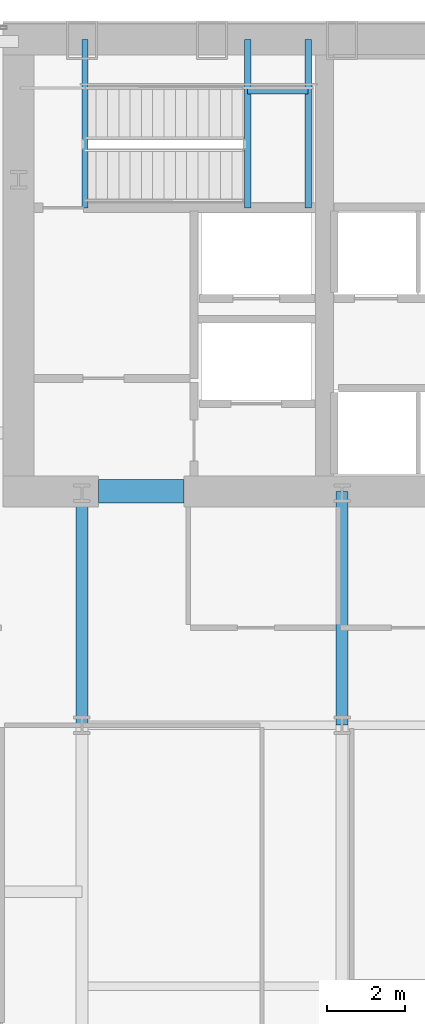
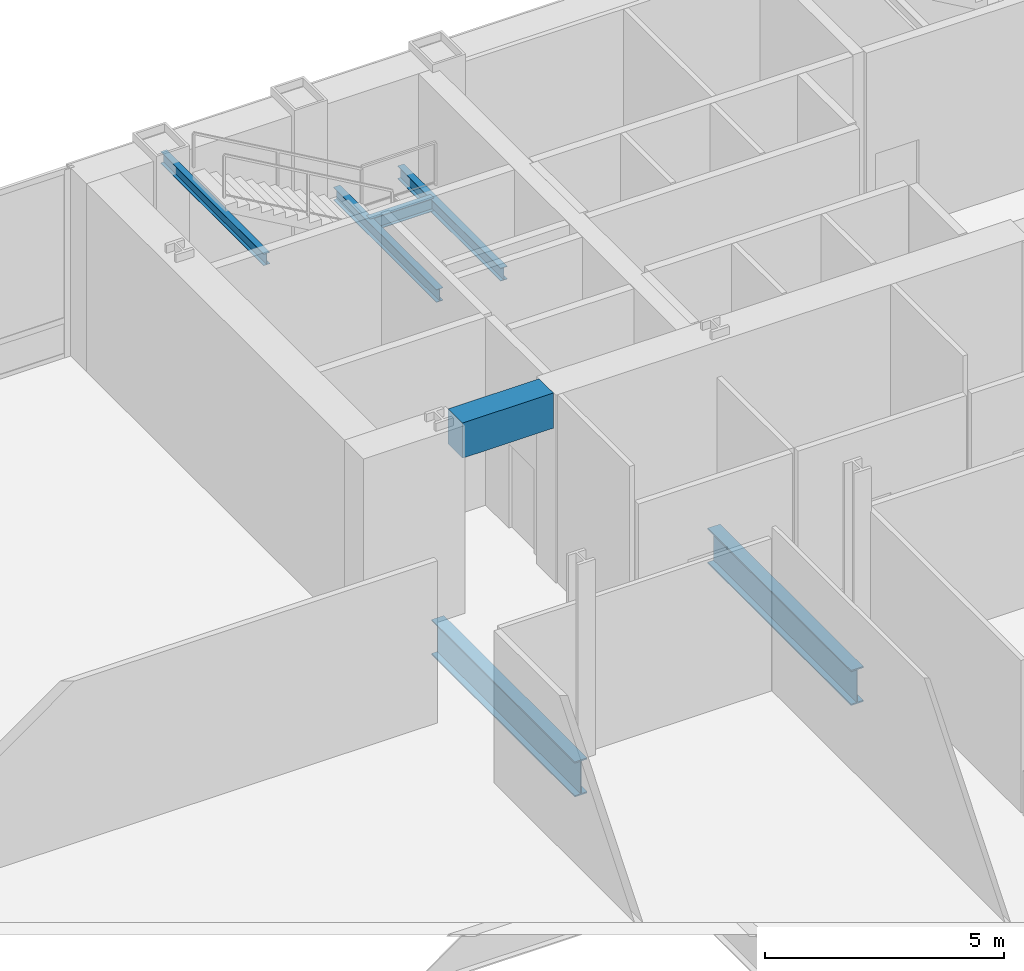
# One storey, part 11 of 26: 7 beams.
"""IFC4 building model written with IfcOpenShell, lengths in metres."""

from ifc_helpers import new_model, si_unit, direction, frame, origin, origin_2d, place, context, subcontext, project, spatial, rectangle, i_section, extrude, material, material_profile, profile_set, type_object, element, save


model = new_model("IFC4")

# Units and contexts
model_context = context("Model", 3, precision=1e-05, world=origin(), true_north=direction((0.0, 1.0)))
body_context = subcontext(model_context, "Body", "Model", "MODEL_VIEW")
ifc_project = project(units=[si_unit("LENGTHUNIT", "METRE"), si_unit("AREAUNIT", "SQUARE_METRE"), si_unit("VOLUMEUNIT", "CUBIC_METRE"), si_unit("PLANEANGLEUNIT", "RADIAN"), si_unit("MASSUNIT", "GRAM", prefix="KILO")], contexts=[model_context])

# Site, building, storey
site_placement = place(None, origin())
site = spatial("IfcSite", under=ifc_project, at=site_placement, CompositionType="ELEMENT")
building_placement = place(site_placement, origin())
building = spatial("IfcBuilding", under=site, at=building_placement, Name="Khoronbel Lancet Exchange", CompositionType="ELEMENT")
storey_placement = place(building_placement, frame((0.0, 0.0, 5.39990234375)))
storey = spatial("IfcBuildingStorey", under=building, at=storey_placement, Name="L01", CompositionType="ELEMENT", Elevation=5.39990234375)

# Beams
ifc_material_1 = material(Name="Steel S355", Category="steel")
ifc_material_profile_1 = material_profile(ifc_material_1, i_section(OverallWidth=0.300048828125, OverallDepth=0.89990234375, WebThickness=0.0185546875, FlangeThickness=0.034912109375, at=origin_2d()), Name="HEB 900")
ifc_profile_set_1 = profile_set([ifc_material_profile_1], Name="Steel S355")
beam_type_1 = type_object("IfcBeamType", Name="BM-BG1", PredefinedType="BEAM", material=ifc_profile_set_1)
for number, where, z_axis, x_axis, name in (
    (1, (18.22509765625, 35.699951171875, -0.64990234375), (0.0, 1.0, 0.0), (-1.0, 0.0, 0.0), "Level L01 spine tie girder GN1"),
    (2, (24.89990234375, 35.699951171875, -0.64990234375), (0.0, 1.0, 0.0), (-1.0, 0.0, 0.0), "Level L01 spine tie girder GN2"),
):
    element("IfcBeam", number, at=place(storey_placement, frame(where, z_axis=z_axis, x_axis=x_axis)), inside=storey, type_object=beam_type_1, Name=name, PredefinedType="BEAM", context=body_context, shape_type="SweptSolid", body=[
        extrude(i_section(OverallWidth=0.300048828125, OverallDepth=0.89990234375, WebThickness=0.0185546875, FlangeThickness=0.034912109375, at=origin_2d()), origin(), (0.0, 0.0, 1.0), 6.0),
    ])
ifc_material_profile_2 = material_profile(ifc_material_1, i_section(OverallWidth=0.159912109375, OverallDepth=0.330078125, WebThickness=0.007568359375, FlangeThickness=0.011474609375, at=origin_2d()), Name="IPE 330")
ifc_profile_set_2 = profile_set([ifc_material_profile_2], Name="Steel S355")
beam_type_2 = type_object("IfcBeamType", Name="BM-BJ7", PredefinedType="JOIST", material=ifc_profile_set_2)
for number, where, z_axis, x_axis, name in (
    (3, (22.47998046875, 48.97998046875, 2.135009765625), (0.0, 1.0, 0.0), (-1.0, 0.0, 0.0), "Level L01 stair ST1 landing bearer beam 1"),
    (4, (24.030029296875, 48.97998046875, 2.135009765625), (0.0, 1.0, 0.0), (-1.0, 0.0, 0.0), "Level L01 stair ST1 rear landing bearer beam 1"),
):
    element("IfcBeam", number, at=place(storey_placement, frame(where, z_axis=z_axis, x_axis=x_axis)), inside=storey, type_object=beam_type_2, Name=name, PredefinedType="JOIST", context=body_context, shape_type="SweptSolid", body=[
        extrude(i_section(OverallWidth=0.159912109375, OverallDepth=0.330078125, WebThickness=0.007568359375, FlangeThickness=0.011474609375, at=origin_2d()), origin(), (0.0, 0.0, 1.0), 4.320068359375),
    ])
beam_1_placement = place(storey_placement, frame((22.47998046875, 51.97998046875, 2.135009765625), z_axis=(1.0, 0.0, 0.0), x_axis=(0.0, 1.0, 0.0)))
element("IfcBeam", 5, at=beam_1_placement, inside=storey, type_object=beam_type_2, Name="Level L01 stair ST1 landing cross trimmer beam 1", PredefinedType="JOIST", context=body_context, shape_type="SweptSolid", body=[
    extrude(i_section(OverallWidth=0.159912109375, OverallDepth=0.330078125, WebThickness=0.007568359375, FlangeThickness=0.011474609375, at=origin_2d()), origin(), (0.0, 0.0, 1.0), 1.550048828125),
])
ifc_material_profile_3 = material_profile(ifc_material_1, i_section(OverallWidth=0.14990234375, OverallDepth=0.300048828125, WebThickness=0.007080078125, FlangeThickness=0.0107421875, at=origin_2d()), Name="IPE 300")
ifc_profile_set_3 = profile_set([ifc_material_profile_3], Name="Steel S355")
beam_type_3 = type_object("IfcBeamType", Name="BM-BJ8", PredefinedType="JOIST", material=ifc_profile_set_3)
beam_2_placement = place(storey_placement, frame((18.300048828125, 48.97998046875, 4.52001953125), z_axis=(0.0, 1.0, 0.0), x_axis=(-1.0, 0.0, 0.0)))
element("IfcBeam", 6, at=beam_2_placement, inside=storey, type_object=beam_type_3, Name="Level L01 stair ST1 upper-flight arrival trimmer beam", PredefinedType="JOIST", context=body_context, shape_type="SweptSolid", body=[
    extrude(i_section(OverallWidth=0.14990234375, OverallDepth=0.300048828125, WebThickness=0.007080078125, FlangeThickness=0.0107421875, at=origin_2d()), origin(), (0.0, 0.0, 1.0), 4.320068359375),
])
ifc_material_2 = material(Name="Concrete C80/95", Category="concrete")
ifc_material_profile_4 = material_profile(ifc_material_2, rectangle(XDim=0.60009765625, YDim=0.89990234375, at=origin_2d()), Name="RC 600x900")
ifc_profile_set_4 = profile_set([ifc_material_profile_4], Name="Concrete C80/95")
beam_type_4 = type_object("IfcBeamType", Name="BM-BL1", PredefinedType="LINTEL", material=ifc_profile_set_4)
beam_3_placement = place(storey_placement, frame((18.64990234375, 41.699951171875, 4.35009765625), z_axis=(1.0, 0.0, 0.0), x_axis=(0.0, 1.0, 0.0)))
element("IfcBeam", 7, at=beam_3_placement, inside=storey, type_object=beam_type_4, Name="Level L01 rear core coupling lintel L1", PredefinedType="LINTEL", context=body_context, shape_type="SweptSolid", body=[
    extrude(rectangle(XDim=0.60009765625, YDim=0.89990234375, at=origin_2d()), origin(), (0.0, 0.0, 1.0), 2.2001953125),
])

save(model, "model.ifc")
